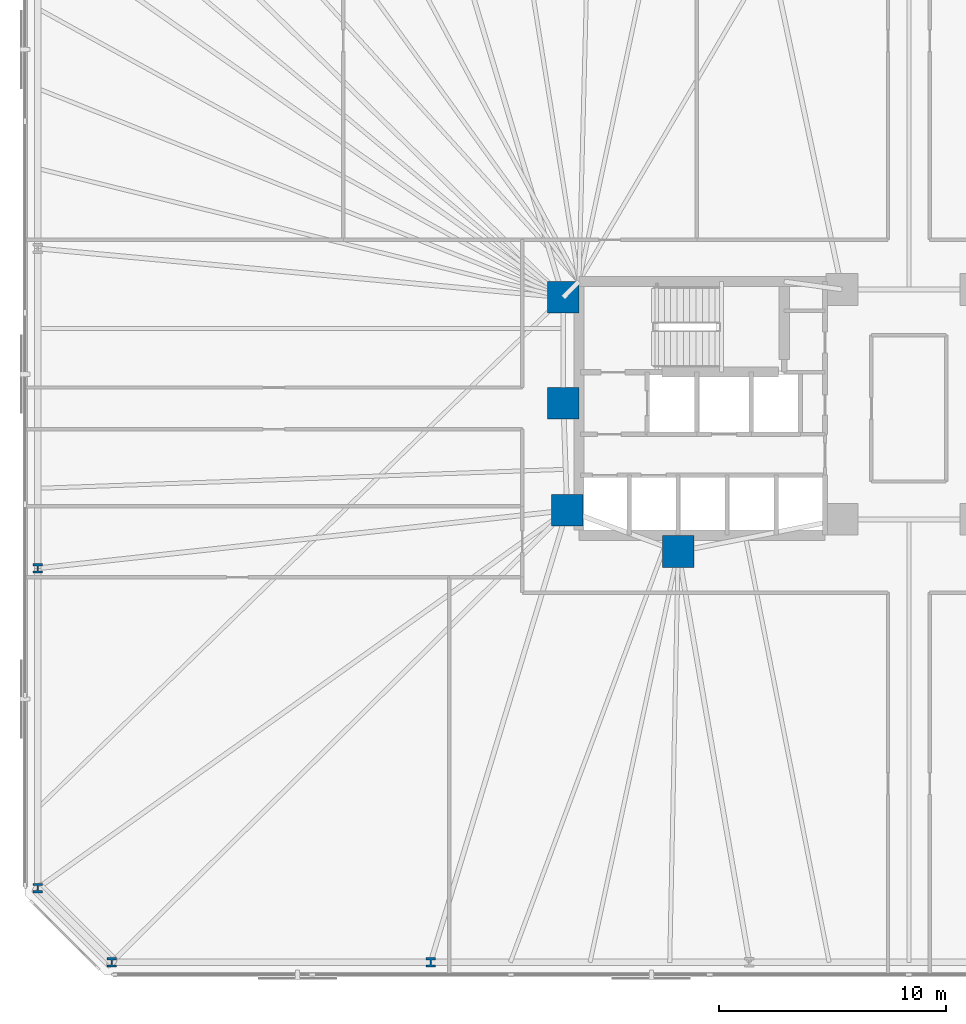
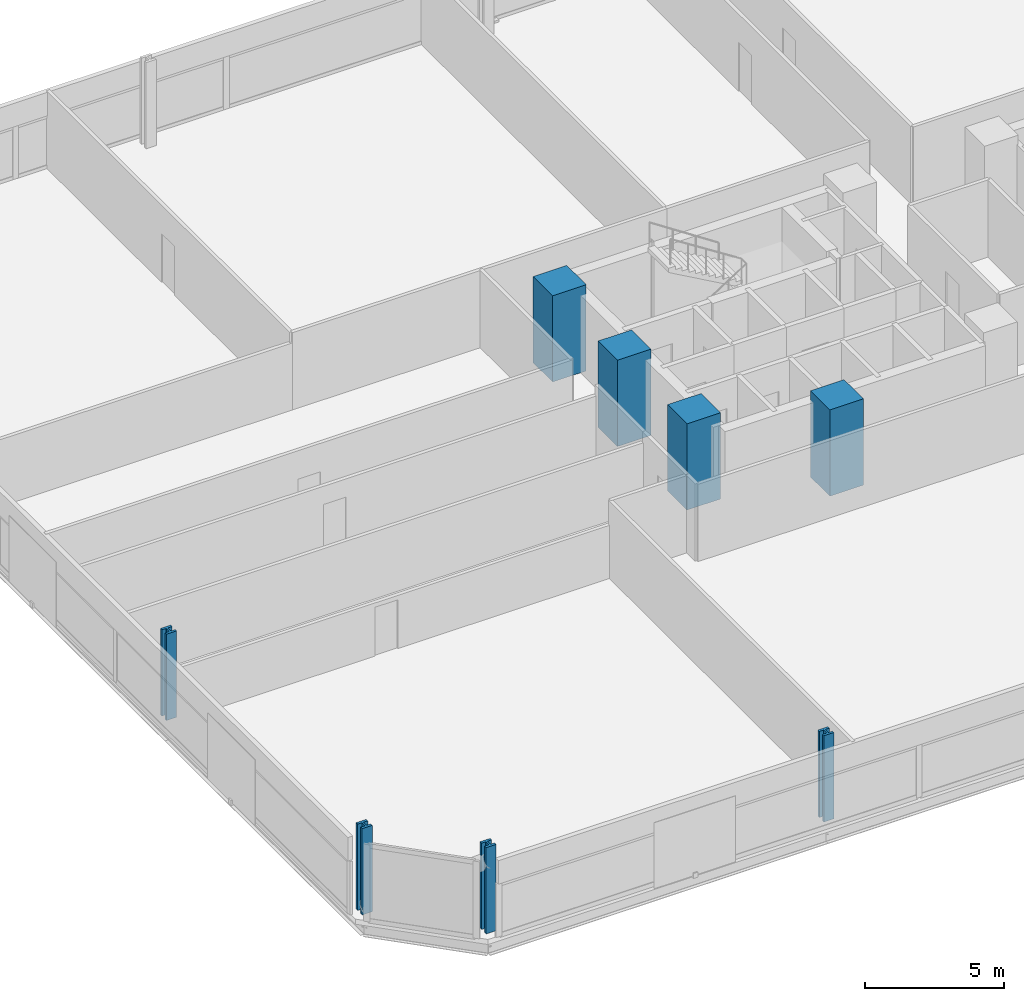
# One storey, part 1 of 17: 8 columns.
"""IFC4 building model written with IfcOpenShell, lengths in metres."""

from ifc_helpers import new_model, si_unit, direction, frame, origin, origin_2d, place, context, subcontext, project, spatial, rectangle, i_section, extrude, material, material_profile, profile_set, type_object, element, save


model = new_model("IFC4")

# Units and contexts
model_context = context("Model", 3, precision=1e-05, world=origin(), true_north=direction((0.0, 1.0)))
body_context = subcontext(model_context, "Body", "Model", "MODEL_VIEW")
ifc_project = project(units=[si_unit("LENGTHUNIT", "METRE"), si_unit("AREAUNIT", "SQUARE_METRE"), si_unit("VOLUMEUNIT", "CUBIC_METRE"), si_unit("PLANEANGLEUNIT", "RADIAN"), si_unit("MASSUNIT", "GRAM", prefix="KILO")], contexts=[model_context])

# Site, building, storey
site_placement = place(None, origin())
site = spatial("IfcSite", under=ifc_project, at=site_placement, CompositionType="ELEMENT")
building_placement = place(site_placement, origin())
building = spatial("IfcBuilding", under=site, at=building_placement, Name="Menara Jurai Vektor", CompositionType="ELEMENT")
storey_placement = place(building_placement, frame((0.0, 0.0, 75.0)))
storey = spatial("IfcBuildingStorey", under=building, at=storey_placement, Name="L18", CompositionType="ELEMENT", Elevation=75.0)

# Columns
ifc_material_1 = material(Name="Concrete C60/75", Category="concrete")
ifc_material_profile_1 = material_profile(ifc_material_1, rectangle(XDim=1.39990234375, YDim=1.39990234375, at=origin_2d()), Name="RC 1400x1400")
ifc_profile_set_1 = profile_set([ifc_material_profile_1], Name="Concrete C60/75")
column_type_1 = type_object("IfcColumnType", Name="STR-COL-RC1400", PredefinedType="COLUMN", material=ifc_profile_set_1)
for number, where, z_axis, x_axis, name in (
    (1, (-15.25, 4.89990234375, 0.0), (0.0, 0.0, 1.0), (1.0, 0.0, 0.0), "Core Spine Column CW-NW L18"),
    (2, (-15.25, 0.219970703125, 0.0), (0.0, 0.0, 1.0), (1.0, 0.0, 0.0), "Core Spine Column CW-WM L18"),
    (3, (-15.080078125, -4.5, 0.0), (0.0, 0.0, 1.0), (1.0, 0.0, 0.0), "Core Spine Column CW-SW L18"),
    (4, (-10.179931640625, -6.320068359375, 0.0), (0.0, 0.0, 1.0), (1.0, 0.0, 0.0), "Core Spine Column CW-SM L18"),
):
    element("IfcColumn", number, at=place(storey_placement, frame(where, z_axis=z_axis, x_axis=x_axis)), inside=storey, type_object=column_type_1, Name=name, PredefinedType="COLUMN", context=body_context, shape_type="SweptSolid", body=[
        extrude(rectangle(XDim=1.39990234375, YDim=1.39990234375, at=origin_2d()), origin(), (0.0, 0.0, 1.0), 3.800048828125),
    ])
ifc_material_2 = material(Name="Steel S460", Category="steel")
ifc_material_profile_2 = material_profile(ifc_material_2, i_section(OverallWidth=0.419921875, OverallDepth=0.430908203125, WebThickness=0.06494140625, FlangeThickness=0.10595703125, FilletRadius=0.014892578125, at=origin_2d()), Name="HD 400x900")
ifc_profile_set_2 = profile_set([ifc_material_profile_2], Name="Steel S460")
column_type_2 = type_object("IfcColumnType", Name="STR-EXO-BLK1", PredefinedType="COLUMN", material=ifc_profile_set_2)
for number, where, z_axis, x_axis, name in (
    (5, (-35.177734375, -24.449951171875, 0.0), (0.0, 0.0, 1.0), (1.0, 0.0, 0.0), "Exoskeleton Column BLK1-S1 L18"),
    (6, (-21.106689453125, -24.449951171875, 0.0), (0.0, 0.0, 1.0), (1.0, 0.0, 0.0), "Exoskeleton Column BLK1-S2 L18"),
    (7, (-38.449951171875, -7.059326171875, 0.0), (0.0, 0.0, 1.0), (1.0, 0.0, 0.0), "Exoskeleton Column BLK1-W3 L18"),
    (8, (-38.449951171875, -21.177734375, 0.0), (0.0, 0.0, 1.0), (1.0, 0.0, 0.0), "Exoskeleton Column BLK1-W4 L18"),
):
    element("IfcColumn", number, at=place(storey_placement, frame(where, z_axis=z_axis, x_axis=x_axis)), inside=storey, type_object=column_type_2, Name=name, PredefinedType="COLUMN", context=body_context, shape_type="SweptSolid", body=[
        extrude(i_section(OverallWidth=0.419921875, OverallDepth=0.430908203125, WebThickness=0.06494140625, FlangeThickness=0.10595703125, FilletRadius=0.014892578125, at=origin_2d()), origin(), (0.0, 0.0, 1.0), 3.800048828125),
    ])

save(model, "model.ifc")
